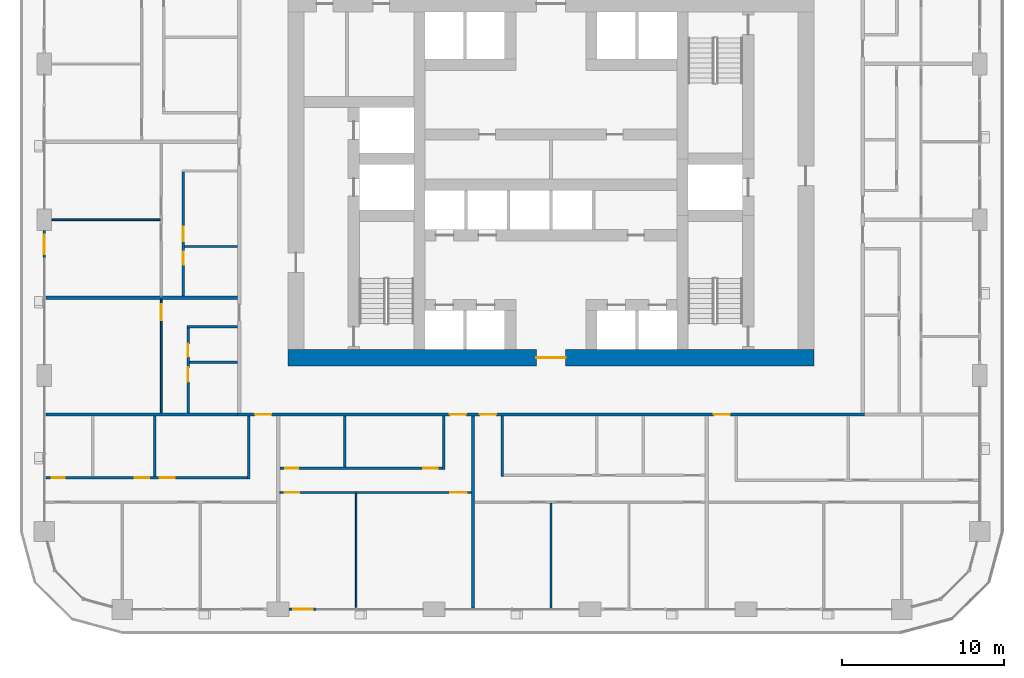
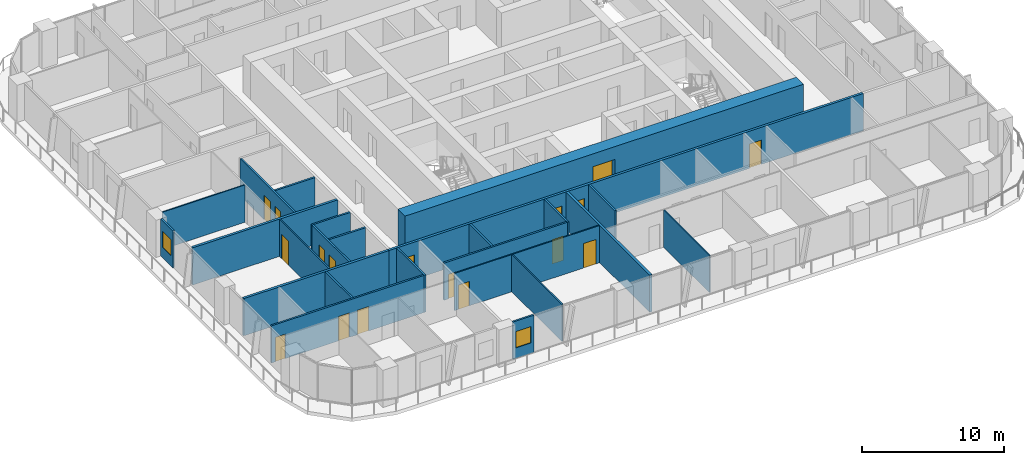
# One storey, part 9 of 21: 24 walls, 17 doors, 2 windows, 19 openings.
"""IFC4 building model written with IfcOpenShell, lengths in metres."""

from ifc_helpers import new_model, si_unit, direction, frame, frame_2d, origin, place, context, subcontext, project, spatial, rectangle, extrude, material, layer, layer_set, type_object, element, fill, save


model = new_model("IFC4")

# Units and contexts
model_context = context("Model", 3, precision=1e-05, world=origin(), true_north=direction((0.0, 1.0)))
body_context = subcontext(model_context, "Body", "Model", "MODEL_VIEW")
ifc_project = project(units=[si_unit("LENGTHUNIT", "METRE"), si_unit("AREAUNIT", "SQUARE_METRE"), si_unit("VOLUMEUNIT", "CUBIC_METRE"), si_unit("PLANEANGLEUNIT", "RADIAN"), si_unit("MASSUNIT", "GRAM", prefix="KILO")], contexts=[model_context])

# Site, building, storey
site_placement = place(None, origin())
site = spatial("IfcSite", under=ifc_project, at=site_placement, CompositionType="ELEMENT")
building_placement = place(site_placement, origin())
building = spatial("IfcBuilding", under=site, at=building_placement, Name="Madar Terraces", CompositionType="ELEMENT")
storey_placement = place(building_placement, frame((0.0, 0.0, 39.89990234375)))
storey = spatial("IfcBuildingStorey", under=building, at=storey_placement, Name="L09", CompositionType="ELEMENT", Elevation=39.89990234375)

# Wall, opening, door
ifc_material_1 = material(Name="Concrete C80/95", Category="concrete")
ifc_layer_1 = layer(ifc_material_1, 1.0)
ifc_layer_set_1 = layer_set([ifc_layer_1], Name="Concrete C80/95 (CRW1 RC wall 1000)")
wall_type_1 = type_object("IfcWallType", Name="CRW1 RC wall 1000", PredefinedType="SHEAR", material=ifc_layer_set_1)
wall_1_placement = place(storey_placement, frame((15.0, 15.5, 0.0), z_axis=(0.0, 0.0, 1.0), x_axis=(1.0, 0.0, 0.0)))
wall_1 = element("IfcWall", 1, at=wall_1_placement, inside=storey, type_object=wall_type_1, Name="CORE OUTER WALL", PredefinedType="SHEAR", context=body_context, shape_type="SweptSolid", body=[
    extrude(rectangle(XDim=32.39990234375, YDim=1.0, at=frame_2d((16.199951171875, 0.0))), origin(), (0.0, 0.0, 1.0), 3.2001953125),
])
opening_1_placement = place(wall_1_placement, frame((15.300048828125, 0.0, 0.0)))
opening_1 = element("IfcOpeningElement", 2, at=opening_1_placement, cuts=wall_1, Name="Opening KD1", PredefinedType="OPENING", context=body_context, shape_type="SweptSolid", body=[
    extrude(rectangle(XDim=1.800048828125, YDim=2.10009765625, at=frame_2d((0.89990234375, 1.050048828125))), frame((0.0, 0.510009765625, 0.0), z_axis=(0.0, -1.0, 0.0), x_axis=(1.0, 0.0, 0.0)), (0.0, 0.0, 1.0), 1.02001953125),
])
ifc_material_2 = material(Name="Steel door leaf", Category="steel")
door_type_1 = type_object("IfcDoorType", Name="Lobby door pair 1800 x 2100", OperationType="DOUBLE_DOOR_SINGLE_SWING", PredefinedType="DOOR", material=ifc_material_2)
door_1_placement = place(opening_1_placement, frame((1.800048828125, 0.0, 0.0), z_axis=(0.0, 0.0, 1.0), x_axis=(-1.0, 0.0, 0.0)))
door_1 = element("IfcDoor", 3, at=door_1_placement, inside=storey, type_object=door_type_1, Name="LIFT LOBBY DOOR", OperationType="DOUBLE_DOOR_SINGLE_SWING", OverallHeight=2.10009765625, OverallWidth=1.800048828125, PredefinedType="DOOR", context=body_context, shape_type="SweptSolid", body=[
    extrude(rectangle(XDim=1.800048828125, YDim=2.10009765625, at=frame_2d((0.89990234375, 1.050048828125))), frame((0.0, 0.02490234375, 0.0), z_axis=(0.0, -1.0, 0.0), x_axis=(1.0, 0.0, 0.0)), (0.0, 0.0, 1.0), 0.050048828125),
])
fill(opening_1, door_1)

# Wall, opening, window
ifc_material_3 = material(Name="Aluminium composite panel, black, over insulated backing", Category="aluminium")
ifc_layer_2 = layer(ifc_material_3, 0.14990234375)
ifc_layer_set_2 = layer_set([ifc_layer_2], Name="Facade bay panel 150")
wall_type_2 = type_object("IfcWallType", Name="Facade bay panel 150", PredefinedType="SOLIDWALL", material=ifc_layer_set_2)
wall_2_placement = place(storey_placement, frame((15.074951171875, 0.0, 0.0), z_axis=(0.0, 0.0, 1.0), x_axis=(1.0, 0.0, 0.0)))
wall_2 = element("IfcWall", 4, at=wall_2_placement, inside=storey, type_object=wall_type_2, Name="Facade bay panel", PredefinedType="SOLIDWALL", context=body_context, shape_type="SweptSolid", body=[
    extrude(rectangle(XDim=1.72509765625, YDim=0.14990234375, at=frame_2d((0.862548828125, 0.0))), origin(), (0.0, 0.0, 1.0), 3.2001953125),
])
opening_2_placement = place(wall_2_placement, frame((0.262451171875, 0.0, 0.89990234375)))
opening_2 = element("IfcOpeningElement", 5, at=opening_2_placement, cuts=wall_2, Name="Opening W1", PredefinedType="OPENING", context=body_context, shape_type="SweptSolid", body=[
    extrude(rectangle(XDim=1.199951171875, YDim=1.39990234375, at=frame_2d((0.60009765625, 0.699951171875))), frame((0.0, 0.0849609375, 0.0), z_axis=(0.0, -1.0, 0.0), x_axis=(1.0, 0.0, 0.0)), (0.0, 0.0, 1.0), 0.169921875),
])
ifc_material_4 = material(Name="Glass, clear, with black aluminium frame", Category="aluminium")
window_type = type_object("IfcWindowType", Name="Vent window 1200 x 1400", PartitioningType="SINGLE_PANEL", PredefinedType="WINDOW", material=ifc_material_4)
window_1_placement = place(opening_2_placement, origin())
window_1 = element("IfcWindow", 6, at=window_1_placement, inside=storey, type_object=window_type, Name="Operable vent window", OverallHeight=1.39990234375, OverallWidth=1.199951171875, PartitioningType="SINGLE_PANEL", PredefinedType="WINDOW", context=body_context, shape_type="SweptSolid", body=[
    extrude(rectangle(XDim=1.199951171875, YDim=1.39990234375, at=frame_2d((0.60009765625, 0.699951171875))), frame((0.0, 0.030029296875, 0.0), z_axis=(0.0, -1.0, 0.0), x_axis=(1.0, 0.0, 0.0)), (0.0, 0.0, 1.0), 0.06005859375),
])
fill(opening_2, window_1)

wall_3_placement = place(storey_placement, frame((0.0, 23.324951171875, 0.0), z_axis=(0.0, 0.0, 1.0), x_axis=(0.0, -1.0, 0.0)))
wall_3 = element("IfcWall", 7, at=wall_3_placement, inside=storey, type_object=wall_type_2, Name="Facade bay panel", PredefinedType="SOLIDWALL", context=body_context, shape_type="SweptSolid", body=[
    extrude(rectangle(XDim=1.724853515625, YDim=0.14990234375, at=frame_2d((0.8623046875, 0.0))), origin(), (0.0, 0.0, 1.0), 3.2001953125),
])
opening_3_placement = place(wall_3_placement, frame((0.262451171875, 0.0, 0.89990234375)))
opening_3 = element("IfcOpeningElement", 8, at=opening_3_placement, cuts=wall_3, Name="Opening W1", PredefinedType="OPENING", context=body_context, shape_type="SweptSolid", body=[
    extrude(rectangle(XDim=1.199951171875, YDim=1.39990234375, at=frame_2d((0.60009765625, 0.699951171875))), frame((0.0, 0.0849609375, 0.0), z_axis=(0.0, -1.0, 0.0), x_axis=(1.0, 0.0, 0.0)), (0.0, 0.0, 1.0), 0.169921875),
])
window_2_placement = place(opening_3_placement, origin())
window_2 = element("IfcWindow", 9, at=window_2_placement, inside=storey, type_object=window_type, Name="Operable vent window", OverallHeight=1.39990234375, OverallWidth=1.199951171875, PartitioningType="SINGLE_PANEL", PredefinedType="WINDOW", context=body_context, shape_type="SweptSolid", body=[
    extrude(rectangle(XDim=1.199951171875, YDim=1.39990234375, at=frame_2d((0.60009765625, 0.699951171875))), frame((0.0, 0.030029296875, 0.0), z_axis=(0.0, -1.0, 0.0), x_axis=(1.0, 0.0, 0.0)), (0.0, 0.0, 1.0), 0.06005859375),
])
fill(opening_3, window_2)

# Wall
ifc_material_5 = material(Name="Gypsum board on steel studs", Category="steel")
ifc_layer_3 = layer(ifc_material_5, 0.10009765625)
ifc_layer_set_3 = layer_set([ifc_layer_3], Name="Flat partition 100")
wall_type_3 = type_object("IfcWallType", Name="Flat partition 100", PredefinedType="PARTITIONING", material=ifc_layer_set_3)
wall_4_placement = place(storey_placement, frame((19.199951171875, 7.14990234375, 0.0), z_axis=(0.0, 0.0, 1.0), x_axis=(0.0, -1.0, 0.0)))
element("IfcWall", 10, at=wall_4_placement, inside=storey, type_object=wall_type_3, Name="Flat partition 100", PredefinedType="PARTITIONING", context=body_context, shape_type="SweptSolid", body=[
    extrude(rectangle(XDim=7.0498046875, YDim=0.10009765625, at=frame_2d((3.52490234375, 0.0))), origin(), (0.0, 0.0, 1.0), 3.2001953125),
])

# Wall, openings, doors
wall_5_placement = place(storey_placement, frame((26.300048828125, 7.199951171875, 0.0), z_axis=(0.0, 0.0, 1.0), x_axis=(-1.0, 0.0, 0.0)))
wall_5 = element("IfcWall", 11, at=wall_5_placement, inside=storey, type_object=wall_type_3, Name="Flat partition 100", PredefinedType="PARTITIONING", context=body_context, shape_type="SweptSolid", body=[
    extrude(rectangle(XDim=11.800048828125, YDim=0.10009765625, at=frame_2d((5.89990234375, 0.0))), origin(), (0.0, 0.0, 1.0), 3.2001953125),
])
opening_4_placement = place(wall_5_placement, frame((0.300048828125, 0.0, 0.0)))
opening_4 = element("IfcOpeningElement", 12, at=opening_4_placement, cuts=wall_5, Name="Opening D3", PredefinedType="OPENING", context=body_context, shape_type="SweptSolid", body=[
    extrude(rectangle(XDim=1.0, YDim=2.10009765625, at=frame_2d((0.5, 1.050048828125))), frame((0.0, 0.06005859375, 0.0), z_axis=(0.0, -1.0, 0.0), x_axis=(1.0, 0.0, 0.0)), (0.0, 0.0, 1.0), 0.1201171875),
])
opening_5_placement = place(wall_5_placement, frame((10.60009765625, 0.0, 0.0)))
opening_5 = element("IfcOpeningElement", 13, at=opening_5_placement, cuts=wall_5, Name="Opening D2", PredefinedType="OPENING", context=body_context, shape_type="SweptSolid", body=[
    extrude(rectangle(XDim=0.89990234375, YDim=2.10009765625, at=frame_2d((0.449951171875, 1.050048828125))), frame((0.0, 0.06005859375, 0.0), z_axis=(0.0, -1.0, 0.0), x_axis=(1.0, 0.0, 0.0)), (0.0, 0.0, 1.0), 0.1201171875),
])
ifc_material_6 = material(Name="Timber door leaf", Category="wood")
door_type_2 = type_object("IfcDoorType", Name="Flat living room door 1000", OperationType="NOTDEFINED", PredefinedType="DOOR", material=ifc_material_6)
door_2_placement = place(opening_4_placement, origin())
door_2 = element("IfcDoor", 14, at=door_2_placement, inside=storey, type_object=door_type_2, Name="Flat living room door 1000", OperationType="SINGLE_SWING_LEFT", OverallHeight=2.10009765625, OverallWidth=1.0, PredefinedType="DOOR", context=body_context, shape_type="SweptSolid", body=[
    extrude(rectangle(XDim=1.0, YDim=2.10009765625, at=frame_2d((0.5, 1.050048828125))), frame((0.0, 0.02490234375, 0.0), z_axis=(0.0, -1.0, 0.0), x_axis=(1.0, 0.0, 0.0)), (0.0, 0.0, 1.0), 0.050048828125),
])
fill(opening_4, door_2)
ifc_material_7 = material(Name="Timber door leaf", Category="wood")
door_type_3 = type_object("IfcDoorType", Name="Flat room door 900", OperationType="NOTDEFINED", PredefinedType="DOOR", material=ifc_material_7)
door_3_placement = place(opening_5_placement, origin())
door_3 = element("IfcDoor", 15, at=door_3_placement, inside=storey, type_object=door_type_3, Name="Flat room door 900", OperationType="SINGLE_SWING_RIGHT", OverallHeight=2.10009765625, OverallWidth=0.89990234375, PredefinedType="DOOR", context=body_context, shape_type="SweptSolid", body=[
    extrude(rectangle(XDim=0.89990234375, YDim=2.10009765625, at=frame_2d((0.449951171875, 1.050048828125))), frame((0.0, 0.02490234375, 0.0), z_axis=(0.0, -1.0, 0.0), x_axis=(1.0, 0.0, 0.0)), (0.0, 0.0, 1.0), 0.050048828125),
])
fill(opening_5, door_3)

# Walls
wall_6_placement = place(storey_placement, frame((31.199951171875, 6.550048828125, 0.0), z_axis=(0.0, 0.0, 1.0), x_axis=(0.0, -1.0, 0.0)))
element("IfcWall", 16, at=wall_6_placement, inside=storey, type_object=wall_type_3, Name="Flat partition 100", PredefinedType="PARTITIONING", context=body_context, shape_type="SweptSolid", body=[
    extrude(rectangle(XDim=6.449951171875, YDim=0.10009765625, at=frame_2d((3.22509765625, 0.0))), origin(), (0.0, 0.0, 1.0), 3.2001953125),
])
wall_7_placement = place(storey_placement, frame((7.14990234375, 24.0, 0.0), z_axis=(0.0, 0.0, 1.0), x_axis=(-1.0, 0.0, 0.0)))
element("IfcWall", 17, at=wall_7_placement, inside=storey, type_object=wall_type_3, Name="Flat partition 100", PredefinedType="PARTITIONING", context=body_context, shape_type="SweptSolid", body=[
    extrude(rectangle(XDim=6.699951171875, YDim=0.10009765625, at=frame_2d((3.35009765625, 0.0))), origin(), (0.0, 0.0, 1.0), 3.2001953125),
])

# Wall, opening, door
wall_8_placement = place(storey_placement, frame((7.199951171875, 12.10009765625, 0.0), z_axis=(0.0, 0.0, 1.0), x_axis=(0.0, 1.0, 0.0)))
wall_8 = element("IfcWall", 18, at=wall_8_placement, inside=storey, type_object=wall_type_3, Name="Flat partition 100", PredefinedType="PARTITIONING", context=body_context, shape_type="SweptSolid", body=[
    extrude(rectangle(XDim=7.0, YDim=0.10009765625, at=frame_2d((3.5, 0.0))), origin(), (0.0, 0.0, 1.0), 3.2001953125),
])
opening_6_placement = place(wall_8_placement, frame((5.699951171875, 0.0, 0.0)))
opening_6 = element("IfcOpeningElement", 19, at=opening_6_placement, cuts=wall_8, Name="Opening D3", PredefinedType="OPENING", context=body_context, shape_type="SweptSolid", body=[
    extrude(rectangle(XDim=1.0, YDim=2.10009765625, at=frame_2d((0.5, 1.050048828125))), frame((0.0, 0.06005859375, 0.0), z_axis=(0.0, -1.0, 0.0), x_axis=(1.0, 0.0, 0.0)), (0.0, 0.0, 1.0), 0.1201171875),
])
door_4_placement = place(opening_6_placement, origin())
door_4 = element("IfcDoor", 20, at=door_4_placement, inside=storey, type_object=door_type_2, Name="Flat living room door 1000", OperationType="SINGLE_SWING_RIGHT", OverallHeight=2.10009765625, OverallWidth=1.0, PredefinedType="DOOR", context=body_context, shape_type="SweptSolid", body=[
    extrude(rectangle(XDim=1.0, YDim=2.10009765625, at=frame_2d((0.5, 1.050048828125))), frame((0.0, 0.02490234375, 0.0), z_axis=(0.0, -1.0, 0.0), x_axis=(1.0, 0.0, 0.0)), (0.0, 0.0, 1.0), 0.050048828125),
])
fill(opening_6, door_4)

# Wall, openings, doors
ifc_material_8 = material(Name="Lightweight blockwork", Category="masonry")
ifc_layer_4 = layer(ifc_material_8, 0.199951171875)
ifc_layer_set_4 = layer_set([ifc_layer_4], Name="Flat party and entrance wall 200")
wall_type_4 = type_object("IfcWallType", Name="Flat party and entrance wall 200", PredefinedType="PARTITIONING", material=ifc_layer_set_4)
wall_9_placement = place(storey_placement, frame((50.5, 12.0, 0.0), z_axis=(0.0, 0.0, 1.0), x_axis=(-1.0, 0.0, 0.0)))
wall_9 = element("IfcWall", 21, at=wall_9_placement, inside=storey, type_object=wall_type_4, Name="Flat party and entrance wall 200", PredefinedType="PARTITIONING", context=body_context, shape_type="SweptSolid", body=[
    extrude(rectangle(XDim=38.60009765625, YDim=0.199951171875, at=frame_2d((19.300048828125, 0.0))), origin(), (0.0, 0.0, 1.0), 3.2001953125),
])
opening_7_placement = place(wall_9_placement, frame((36.52490234375, 0.0, 0.0)))
opening_7 = element("IfcOpeningElement", 22, at=opening_7_placement, cuts=wall_9, Name="Opening D1", PredefinedType="OPENING", context=body_context, shape_type="SweptSolid", body=[
    extrude(rectangle(XDim=1.0, YDim=2.10009765625, at=frame_2d((0.5, 1.050048828125))), frame((0.0, 0.10986328125, 0.0), z_axis=(0.0, -1.0, 0.0), x_axis=(1.0, 0.0, 0.0)), (0.0, 0.0, 1.0), 0.219970703125),
])
opening_8_placement = place(wall_9_placement, frame((24.52490234375, 0.0, 0.0)))
opening_8 = element("IfcOpeningElement", 23, at=opening_8_placement, cuts=wall_9, Name="Opening D1", PredefinedType="OPENING", context=body_context, shape_type="SweptSolid", body=[
    extrude(rectangle(XDim=1.0, YDim=2.10009765625, at=frame_2d((0.5, 1.050048828125))), frame((0.0, 0.10986328125, 0.0), z_axis=(0.0, -1.0, 0.0), x_axis=(1.0, 0.0, 0.0)), (0.0, 0.0, 1.0), 0.219970703125),
])
opening_9_placement = place(wall_9_placement, frame((22.675048828125, 0.0, 0.0)))
opening_9 = element("IfcOpeningElement", 24, at=opening_9_placement, cuts=wall_9, Name="Opening D1", PredefinedType="OPENING", context=body_context, shape_type="SweptSolid", body=[
    extrude(rectangle(XDim=1.0, YDim=2.10009765625, at=frame_2d((0.5, 1.050048828125))), frame((0.0, 0.10986328125, 0.0), z_axis=(0.0, -1.0, 0.0), x_axis=(1.0, 0.0, 0.0)), (0.0, 0.0, 1.0), 0.219970703125),
])
opening_10_placement = place(wall_9_placement, frame((8.27490234375, 0.0, 0.0)))
opening_10 = element("IfcOpeningElement", 25, at=opening_10_placement, cuts=wall_9, Name="Opening D1", PredefinedType="OPENING", context=body_context, shape_type="SweptSolid", body=[
    extrude(rectangle(XDim=1.0, YDim=2.10009765625, at=frame_2d((0.5, 1.050048828125))), frame((0.0, 0.10986328125, 0.0), z_axis=(0.0, -1.0, 0.0), x_axis=(1.0, 0.0, 0.0)), (0.0, 0.0, 1.0), 0.219970703125),
])
ifc_material_9 = material(Name="Timber fire door leaf", Category="wood")
door_type_4 = type_object("IfcDoorType", Name="Flat entrance door 1000 FD30S", OperationType="NOTDEFINED", PredefinedType="DOOR", material=ifc_material_9)
door_5_placement = place(opening_7_placement, origin())
door_5 = element("IfcDoor", 26, at=door_5_placement, inside=storey, type_object=door_type_4, Name="Flat entrance door 1000 FD30S", OperationType="SINGLE_SWING_LEFT", OverallHeight=2.10009765625, OverallWidth=1.0, PredefinedType="DOOR", context=body_context, shape_type="SweptSolid", body=[
    extrude(rectangle(XDim=1.0, YDim=2.10009765625, at=frame_2d((0.5, 1.050048828125))), frame((0.0, 0.02490234375, 0.0), z_axis=(0.0, -1.0, 0.0), x_axis=(1.0, 0.0, 0.0)), (0.0, 0.0, 1.0), 0.050048828125),
])
fill(opening_7, door_5)
door_6_placement = place(opening_8_placement, origin())
door_6 = element("IfcDoor", 27, at=door_6_placement, inside=storey, type_object=door_type_4, Name="Flat entrance door 1000 FD30S", OperationType="SINGLE_SWING_LEFT", OverallHeight=2.10009765625, OverallWidth=1.0, PredefinedType="DOOR", context=body_context, shape_type="SweptSolid", body=[
    extrude(rectangle(XDim=1.0, YDim=2.10009765625, at=frame_2d((0.5, 1.050048828125))), frame((0.0, 0.02490234375, 0.0), z_axis=(0.0, -1.0, 0.0), x_axis=(1.0, 0.0, 0.0)), (0.0, 0.0, 1.0), 0.050048828125),
])
fill(opening_8, door_6)
door_7_placement = place(opening_9_placement, origin())
door_7 = element("IfcDoor", 28, at=door_7_placement, inside=storey, type_object=door_type_4, Name="Flat entrance door 1000 FD30S", OperationType="SINGLE_SWING_RIGHT", OverallHeight=2.10009765625, OverallWidth=1.0, PredefinedType="DOOR", context=body_context, shape_type="SweptSolid", body=[
    extrude(rectangle(XDim=1.0, YDim=2.10009765625, at=frame_2d((0.5, 1.050048828125))), frame((0.0, 0.02490234375, 0.0), z_axis=(0.0, -1.0, 0.0), x_axis=(1.0, 0.0, 0.0)), (0.0, 0.0, 1.0), 0.050048828125),
])
fill(opening_9, door_7)
door_8_placement = place(opening_10_placement, origin())
door_8 = element("IfcDoor", 29, at=door_8_placement, inside=storey, type_object=door_type_4, Name="Flat entrance door 1000 FD30S", OperationType="SINGLE_SWING_RIGHT", OverallHeight=2.10009765625, OverallWidth=1.0, PredefinedType="DOOR", context=body_context, shape_type="SweptSolid", body=[
    extrude(rectangle(XDim=1.0, YDim=2.10009765625, at=frame_2d((0.5, 1.050048828125))), frame((0.0, 0.02490234375, 0.0), z_axis=(0.0, -1.0, 0.0), x_axis=(1.0, 0.0, 0.0)), (0.0, 0.0, 1.0), 0.050048828125),
])
fill(opening_10, door_8)

# Walls
for number, where, z_axis, x_axis, name in (
    (30, (0.10009765625, 12.0, 0.0), (0.0, 0.0, 1.0), (1.0, 0.0, 0.0), "Flat party and entrance wall 200"),
    (31, (26.39990234375, 11.89990234375, 0.0), (0.0, 0.0, 1.0), (0.0, -1.0, 0.0), "Flat party and entrance wall 200"),
    (32, (0.10009765625, 19.199951171875, 0.0), (0.0, 0.0, 1.0), (1.0, 0.0, 0.0), "Flat party and entrance wall 200"),
):
    element("IfcWall", number, at=place(storey_placement, frame(where, z_axis=z_axis, x_axis=x_axis)), inside=storey, type_object=wall_type_4, Name=name, PredefinedType="PARTITIONING", context=body_context, shape_type="SweptSolid", body=[
        extrude(rectangle(XDim=11.7998046875, YDim=0.199951171875, at=frame_2d((5.89990234375, 0.0))), origin(), (0.0, 0.0, 1.0), 3.2001953125),
    ])
ifc_material_10 = material(Name="Lightweight blockwork", Category="masonry")
ifc_layer_5 = layer(ifc_material_10, 0.14990234375)
ifc_layer_set_5 = layer_set([ifc_layer_5], Name="Flat wet-room partition 150")
wall_type_5 = type_object("IfcWallType", Name="Flat wet-room partition 150", PredefinedType="PARTITIONING", material=ifc_layer_set_5)
wall_10_placement = place(storey_placement, frame((6.790283203125, 11.89990234375, 0.0), z_axis=(0.0, 0.0, 1.0), x_axis=(0.0, -1.0, 0.0)))
element("IfcWall", 33, at=wall_10_placement, inside=storey, type_object=wall_type_5, Name="Flat wet-room partition 150", PredefinedType="PARTITIONING", context=body_context, shape_type="SweptSolid", body=[
    extrude(rectangle(XDim=3.724853515625, YDim=0.14990234375, at=frame_2d((1.8623046875, 0.0))), origin(), (0.0, 0.0, 1.0), 3.2001953125),
])
wall_11_placement = place(storey_placement, frame((12.60009765625, 11.89990234375, 0.0), z_axis=(0.0, 0.0, 1.0), x_axis=(0.0, -1.0, 0.0)))
element("IfcWall", 34, at=wall_11_placement, inside=storey, type_object=wall_type_5, Name="Flat wet-room partition 150", PredefinedType="PARTITIONING", context=body_context, shape_type="SweptSolid", body=[
    extrude(rectangle(XDim=3.875, YDim=0.14990234375, at=frame_2d((1.9375, 0.0))), origin(), (0.0, 0.0, 1.0), 3.2001953125),
])

# Wall, openings, doors
wall_12_placement = place(storey_placement, frame((0.10009765625, 8.10009765625, 0.0), z_axis=(0.0, 0.0, 1.0), x_axis=(1.0, 0.0, 0.0)))
wall_12 = element("IfcWall", 35, at=wall_12_placement, inside=storey, type_object=wall_type_5, Name="Flat wet-room partition 150", PredefinedType="PARTITIONING", context=body_context, shape_type="SweptSolid", body=[
    extrude(rectangle(XDim=12.4248046875, YDim=0.14990234375, at=frame_2d((6.21240234375, 0.0))), origin(), (0.0, 0.0, 1.0), 3.2001953125),
])
opening_11_placement = place(wall_12_placement, frame((7.015380859375, 0.0, 0.0)))
opening_11 = element("IfcOpeningElement", 36, at=opening_11_placement, cuts=wall_12, Name="Opening D2", PredefinedType="OPENING", context=body_context, shape_type="SweptSolid", body=[
    extrude(rectangle(XDim=0.89990234375, YDim=2.10009765625, at=frame_2d((0.449951171875, 1.050048828125))), frame((0.0, 0.0849609375, 0.0), z_axis=(0.0, -1.0, 0.0), x_axis=(1.0, 0.0, 0.0)), (0.0, 0.0, 1.0), 0.169921875),
])
opening_12_placement = place(wall_12_placement, frame((5.46533203125, 0.0, 0.0)))
opening_12 = element("IfcOpeningElement", 37, at=opening_12_placement, cuts=wall_12, Name="Opening D5", PredefinedType="OPENING", context=body_context, shape_type="SweptSolid", body=[
    extrude(rectangle(XDim=0.89990234375, YDim=2.10009765625, at=frame_2d((0.449951171875, 1.050048828125))), frame((0.0, 0.0849609375, 0.0), z_axis=(0.0, -1.0, 0.0), x_axis=(1.0, 0.0, 0.0)), (0.0, 0.0, 1.0), 0.169921875),
])
opening_13_placement = place(wall_12_placement, frame((0.35009765625, 0.0, 0.0)))
opening_13 = element("IfcOpeningElement", 38, at=opening_13_placement, cuts=wall_12, Name="Opening D4", PredefinedType="OPENING", context=body_context, shape_type="SweptSolid", body=[
    extrude(rectangle(XDim=0.800048828125, YDim=2.10009765625, at=frame_2d((0.39990234375, 1.050048828125))), frame((0.0, 0.0849609375, 0.0), z_axis=(0.0, -1.0, 0.0), x_axis=(1.0, 0.0, 0.0)), (0.0, 0.0, 1.0), 0.169921875),
])
ifc_material_11 = material(Name="Timber door leaf", Category="wood")
door_type_5 = type_object("IfcDoorType", Name="Flat accessible bathroom door 900", OperationType="NOTDEFINED", PredefinedType="DOOR", material=ifc_material_11)
door_9_placement = place(opening_12_placement, origin())
door_9 = element("IfcDoor", 39, at=door_9_placement, inside=storey, type_object=door_type_5, Name="Flat accessible bathroom door 900", OperationType="SINGLE_SWING_RIGHT", OverallHeight=2.10009765625, OverallWidth=0.89990234375, PredefinedType="DOOR", context=body_context, shape_type="SweptSolid", body=[
    extrude(rectangle(XDim=0.89990234375, YDim=2.10009765625, at=frame_2d((0.449951171875, 1.050048828125))), frame((0.0, 0.02490234375, 0.0), z_axis=(0.0, -1.0, 0.0), x_axis=(1.0, 0.0, 0.0)), (0.0, 0.0, 1.0), 0.050048828125),
])
fill(opening_12, door_9)
ifc_material_12 = material(Name="Timber door leaf", Category="wood")
door_type_6 = type_object("IfcDoorType", Name="Flat bathroom door 800", OperationType="NOTDEFINED", PredefinedType="DOOR", material=ifc_material_12)
door_10_placement = place(opening_13_placement, origin())
door_10 = element("IfcDoor", 40, at=door_10_placement, inside=storey, type_object=door_type_6, Name="Flat bathroom door 800", OperationType="SINGLE_SWING_LEFT", OverallHeight=2.10009765625, OverallWidth=0.800048828125, PredefinedType="DOOR", context=body_context, shape_type="SweptSolid", body=[
    extrude(rectangle(XDim=0.800048828125, YDim=2.10009765625, at=frame_2d((0.39990234375, 1.050048828125))), frame((0.0, 0.02490234375, 0.0), z_axis=(0.0, -1.0, 0.0), x_axis=(1.0, 0.0, 0.0)), (0.0, 0.0, 1.0), 0.050048828125),
])
fill(opening_13, door_10)
door_11_placement = place(opening_11_placement, origin())
door_11 = element("IfcDoor", 41, at=door_11_placement, inside=storey, type_object=door_type_3, Name="Flat room door 900", OperationType="SINGLE_SWING_LEFT", OverallHeight=2.10009765625, OverallWidth=0.89990234375, PredefinedType="DOOR", context=body_context, shape_type="SweptSolid", body=[
    extrude(rectangle(XDim=0.89990234375, YDim=2.10009765625, at=frame_2d((0.449951171875, 1.050048828125))), frame((0.0, 0.02490234375, 0.0), z_axis=(0.0, -1.0, 0.0), x_axis=(1.0, 0.0, 0.0)), (0.0, 0.0, 1.0), 0.050048828125),
])
fill(opening_11, door_11)

# Walls
wall_13_placement = place(storey_placement, frame((18.510009765625, 11.89990234375, 0.0), z_axis=(0.0, 0.0, 1.0), x_axis=(0.0, -1.0, 0.0)))
element("IfcWall", 42, at=wall_13_placement, inside=storey, type_object=wall_type_5, Name="Flat wet-room partition 150", PredefinedType="PARTITIONING", context=body_context, shape_type="SweptSolid", body=[
    extrude(rectangle(XDim=3.125, YDim=0.14990234375, at=frame_2d((1.5625, 0.0))), origin(), (0.0, 0.0, 1.0), 3.2001953125),
])
wall_14_placement = place(storey_placement, frame((24.60009765625, 11.89990234375, 0.0), z_axis=(0.0, 0.0, 1.0), x_axis=(0.0, -1.0, 0.0)))
element("IfcWall", 43, at=wall_14_placement, inside=storey, type_object=wall_type_5, Name="Flat wet-room partition 150", PredefinedType="PARTITIONING", context=body_context, shape_type="SweptSolid", body=[
    extrude(rectangle(XDim=3.27490234375, YDim=0.14990234375, at=frame_2d((1.637451171875, 0.0))), origin(), (0.0, 0.0, 1.0), 3.2001953125),
])

# Wall, openings, doors
wall_15_placement = place(storey_placement, frame((14.5, 8.699951171875, 0.0), z_axis=(0.0, 0.0, 1.0), x_axis=(1.0, 0.0, 0.0)))
wall_15 = element("IfcWall", 44, at=wall_15_placement, inside=storey, type_object=wall_type_5, Name="Flat wet-room partition 150", PredefinedType="PARTITIONING", context=body_context, shape_type="SweptSolid", body=[
    extrude(rectangle(XDim=10.02490234375, YDim=0.14990234375, at=frame_2d((5.012451171875, 0.0))), origin(), (0.0, 0.0, 1.0), 3.2001953125),
])
opening_14_placement = place(wall_15_placement, frame((8.824951171875, 0.0, 0.0)))
opening_14 = element("IfcOpeningElement", 45, at=opening_14_placement, cuts=wall_15, Name="Opening D2", PredefinedType="OPENING", context=body_context, shape_type="SweptSolid", body=[
    extrude(rectangle(XDim=0.89990234375, YDim=2.10009765625, at=frame_2d((0.449951171875, 1.050048828125))), frame((0.0, 0.0849609375, 0.0), z_axis=(0.0, -1.0, 0.0), x_axis=(1.0, 0.0, 0.0)), (0.0, 0.0, 1.0), 0.169921875),
])
opening_15_placement = place(wall_15_placement, frame((0.35009765625, 0.0, 0.0)))
opening_15 = element("IfcOpeningElement", 46, at=opening_15_placement, cuts=wall_15, Name="Opening D4", PredefinedType="OPENING", context=body_context, shape_type="SweptSolid", body=[
    extrude(rectangle(XDim=0.800048828125, YDim=2.10009765625, at=frame_2d((0.39990234375, 1.050048828125))), frame((0.0, 0.0849609375, 0.0), z_axis=(0.0, -1.0, 0.0), x_axis=(1.0, 0.0, 0.0)), (0.0, 0.0, 1.0), 0.169921875),
])
door_12_placement = place(opening_15_placement, origin())
door_12 = element("IfcDoor", 47, at=door_12_placement, inside=storey, type_object=door_type_6, Name="Flat bathroom door 800", OperationType="SINGLE_SWING_LEFT", OverallHeight=2.10009765625, OverallWidth=0.800048828125, PredefinedType="DOOR", context=body_context, shape_type="SweptSolid", body=[
    extrude(rectangle(XDim=0.800048828125, YDim=2.10009765625, at=frame_2d((0.39990234375, 1.050048828125))), frame((0.0, 0.02490234375, 0.0), z_axis=(0.0, -1.0, 0.0), x_axis=(1.0, 0.0, 0.0)), (0.0, 0.0, 1.0), 0.050048828125),
])
fill(opening_15, door_12)
door_13_placement = place(opening_14_placement, origin())
door_13 = element("IfcDoor", 48, at=door_13_placement, inside=storey, type_object=door_type_3, Name="Flat room door 900", OperationType="SINGLE_SWING_RIGHT", OverallHeight=2.10009765625, OverallWidth=0.89990234375, PredefinedType="DOOR", context=body_context, shape_type="SweptSolid", body=[
    extrude(rectangle(XDim=0.89990234375, YDim=2.10009765625, at=frame_2d((0.449951171875, 1.050048828125))), frame((0.0, 0.02490234375, 0.0), z_axis=(0.0, -1.0, 0.0), x_axis=(1.0, 0.0, 0.0)), (0.0, 0.0, 1.0), 0.050048828125),
])
fill(opening_14, door_13)

# Walls
wall_16_placement = place(storey_placement, frame((28.199951171875, 11.89990234375, 0.0), z_axis=(0.0, 0.0, 1.0), x_axis=(0.0, -1.0, 0.0)))
element("IfcWall", 49, at=wall_16_placement, inside=storey, type_object=wall_type_5, Name="Flat wet-room partition 150", PredefinedType="PARTITIONING", context=body_context, shape_type="SweptSolid", body=[
    extrude(rectangle(XDim=3.724853515625, YDim=0.14990234375, at=frame_2d((1.8623046875, 0.0))), origin(), (0.0, 0.0, 1.0), 3.2001953125),
])
wall_17_placement = place(storey_placement, frame((11.89990234375, 22.35009765625, 0.0), z_axis=(0.0, 0.0, 1.0), x_axis=(-1.0, 0.0, 0.0)))
element("IfcWall", 50, at=wall_17_placement, inside=storey, type_object=wall_type_5, Name="Flat wet-room partition 150", PredefinedType="PARTITIONING", context=body_context, shape_type="SweptSolid", body=[
    extrude(rectangle(XDim=3.27490234375, YDim=0.14990234375, at=frame_2d((1.637451171875, 0.0))), origin(), (0.0, 0.0, 1.0), 3.2001953125),
])

# Wall, openings, doors
wall_18_placement = place(storey_placement, frame((8.550048828125, 26.925048828125, 0.0), z_axis=(0.0, 0.0, 1.0), x_axis=(0.0, -1.0, 0.0)))
wall_18 = element("IfcWall", 51, at=wall_18_placement, inside=storey, type_object=wall_type_5, Name="Flat wet-room partition 150", PredefinedType="PARTITIONING", context=body_context, shape_type="SweptSolid", body=[
    extrude(rectangle(XDim=7.625, YDim=0.14990234375, at=frame_2d((3.8125, 0.0))), origin(), (0.0, 0.0, 1.0), 3.2001953125),
])
opening_16_placement = place(wall_18_placement, frame((3.35009765625, 0.0, 0.0)))
opening_16 = element("IfcOpeningElement", 52, at=opening_16_placement, cuts=wall_18, Name="Opening D2", PredefinedType="OPENING", context=body_context, shape_type="SweptSolid", body=[
    extrude(rectangle(XDim=0.89990234375, YDim=2.10009765625, at=frame_2d((0.449951171875, 1.050048828125))), frame((0.0, 0.0849609375, 0.0), z_axis=(0.0, -1.0, 0.0), x_axis=(1.0, 0.0, 0.0)), (0.0, 0.0, 1.0), 0.169921875),
])
opening_17_placement = place(wall_18_placement, frame((4.89990234375, 0.0, 0.0)))
opening_17 = element("IfcOpeningElement", 53, at=opening_17_placement, cuts=wall_18, Name="Opening D4", PredefinedType="OPENING", context=body_context, shape_type="SweptSolid", body=[
    extrude(rectangle(XDim=0.800048828125, YDim=2.10009765625, at=frame_2d((0.39990234375, 1.050048828125))), frame((0.0, 0.0849609375, 0.0), z_axis=(0.0, -1.0, 0.0), x_axis=(1.0, 0.0, 0.0)), (0.0, 0.0, 1.0), 0.169921875),
])
door_14_placement = place(opening_17_placement, origin())
door_14 = element("IfcDoor", 54, at=door_14_placement, inside=storey, type_object=door_type_6, Name="Flat bathroom door 800", OperationType="SINGLE_SWING_LEFT", OverallHeight=2.10009765625, OverallWidth=0.800048828125, PredefinedType="DOOR", context=body_context, shape_type="SweptSolid", body=[
    extrude(rectangle(XDim=0.800048828125, YDim=2.10009765625, at=frame_2d((0.39990234375, 1.050048828125))), frame((0.0, 0.02490234375, 0.0), z_axis=(0.0, -1.0, 0.0), x_axis=(1.0, 0.0, 0.0)), (0.0, 0.0, 1.0), 0.050048828125),
])
fill(opening_17, door_14)
door_15_placement = place(opening_16_placement, origin())
door_15 = element("IfcDoor", 55, at=door_15_placement, inside=storey, type_object=door_type_3, Name="Flat room door 900", OperationType="SINGLE_SWING_RIGHT", OverallHeight=2.10009765625, OverallWidth=0.89990234375, PredefinedType="DOOR", context=body_context, shape_type="SweptSolid", body=[
    extrude(rectangle(XDim=0.89990234375, YDim=2.10009765625, at=frame_2d((0.449951171875, 1.050048828125))), frame((0.0, 0.02490234375, 0.0), z_axis=(0.0, -1.0, 0.0), x_axis=(1.0, 0.0, 0.0)), (0.0, 0.0, 1.0), 0.050048828125),
])
fill(opening_16, door_15)

# Walls
wall_19_placement = place(storey_placement, frame((11.89990234375, 15.235107421875, 0.0), z_axis=(0.0, 0.0, 1.0), x_axis=(-1.0, 0.0, 0.0)))
element("IfcWall", 56, at=wall_19_placement, inside=storey, type_object=wall_type_5, Name="Flat wet-room partition 150", PredefinedType="PARTITIONING", context=body_context, shape_type="SweptSolid", body=[
    extrude(rectangle(XDim=2.974853515625, YDim=0.14990234375, at=frame_2d((1.4873046875, 0.0))), origin(), (0.0, 0.0, 1.0), 3.2001953125),
])
wall_20_placement = place(storey_placement, frame((11.89990234375, 17.39990234375, 0.0), z_axis=(0.0, 0.0, 1.0), x_axis=(-1.0, 0.0, 0.0)))
element("IfcWall", 57, at=wall_20_placement, inside=storey, type_object=wall_type_5, Name="Flat wet-room partition 150", PredefinedType="PARTITIONING", context=body_context, shape_type="SweptSolid", body=[
    extrude(rectangle(XDim=3.125, YDim=0.14990234375, at=frame_2d((1.5625, 0.0))), origin(), (0.0, 0.0, 1.0), 3.2001953125),
])

# Wall, openings, doors
wall_21_placement = place(storey_placement, frame((8.85009765625, 17.324951171875, 0.0), z_axis=(0.0, 0.0, 1.0), x_axis=(0.0, -1.0, 0.0)))
wall_21 = element("IfcWall", 58, at=wall_21_placement, inside=storey, type_object=wall_type_5, Name="Flat wet-room partition 150", PredefinedType="PARTITIONING", context=body_context, shape_type="SweptSolid", body=[
    extrude(rectangle(XDim=5.224853515625, YDim=0.14990234375, at=frame_2d((2.6123046875, 0.0))), origin(), (0.0, 0.0, 1.0), 3.2001953125),
])
opening_18_placement = place(wall_21_placement, frame((0.965087890625, 0.0, 0.0)))
opening_18 = element("IfcOpeningElement", 59, at=opening_18_placement, cuts=wall_21, Name="Opening D4", PredefinedType="OPENING", context=body_context, shape_type="SweptSolid", body=[
    extrude(rectangle(XDim=0.800048828125, YDim=2.10009765625, at=frame_2d((0.39990234375, 1.050048828125))), frame((0.0, 0.0849609375, 0.0), z_axis=(0.0, -1.0, 0.0), x_axis=(1.0, 0.0, 0.0)), (0.0, 0.0, 1.0), 0.169921875),
])
opening_19_placement = place(wall_21_placement, frame((2.4150390625, 0.0, 0.0)))
opening_19 = element("IfcOpeningElement", 60, at=opening_19_placement, cuts=wall_21, Name="Opening D2", PredefinedType="OPENING", context=body_context, shape_type="SweptSolid", body=[
    extrude(rectangle(XDim=0.89990234375, YDim=2.10009765625, at=frame_2d((0.449951171875, 1.050048828125))), frame((0.0, 0.0849609375, 0.0), z_axis=(0.0, -1.0, 0.0), x_axis=(1.0, 0.0, 0.0)), (0.0, 0.0, 1.0), 0.169921875),
])
door_16_placement = place(opening_18_placement, origin())
door_16 = element("IfcDoor", 61, at=door_16_placement, inside=storey, type_object=door_type_6, Name="Flat bathroom door 800", OperationType="SINGLE_SWING_RIGHT", OverallHeight=2.10009765625, OverallWidth=0.800048828125, PredefinedType="DOOR", context=body_context, shape_type="SweptSolid", body=[
    extrude(rectangle(XDim=0.800048828125, YDim=2.10009765625, at=frame_2d((0.39990234375, 1.050048828125))), frame((0.0, 0.02490234375, 0.0), z_axis=(0.0, -1.0, 0.0), x_axis=(1.0, 0.0, 0.0)), (0.0, 0.0, 1.0), 0.050048828125),
])
fill(opening_18, door_16)
door_17_placement = place(opening_19_placement, origin())
door_17 = element("IfcDoor", 62, at=door_17_placement, inside=storey, type_object=door_type_3, Name="Flat room door 900", OperationType="SINGLE_SWING_LEFT", OverallHeight=2.10009765625, OverallWidth=0.89990234375, PredefinedType="DOOR", context=body_context, shape_type="SweptSolid", body=[
    extrude(rectangle(XDim=0.89990234375, YDim=2.10009765625, at=frame_2d((0.449951171875, 1.050048828125))), frame((0.0, 0.02490234375, 0.0), z_axis=(0.0, -1.0, 0.0), x_axis=(1.0, 0.0, 0.0)), (0.0, 0.0, 1.0), 0.050048828125),
])
fill(opening_19, door_17)

save(model, "model.ifc")
